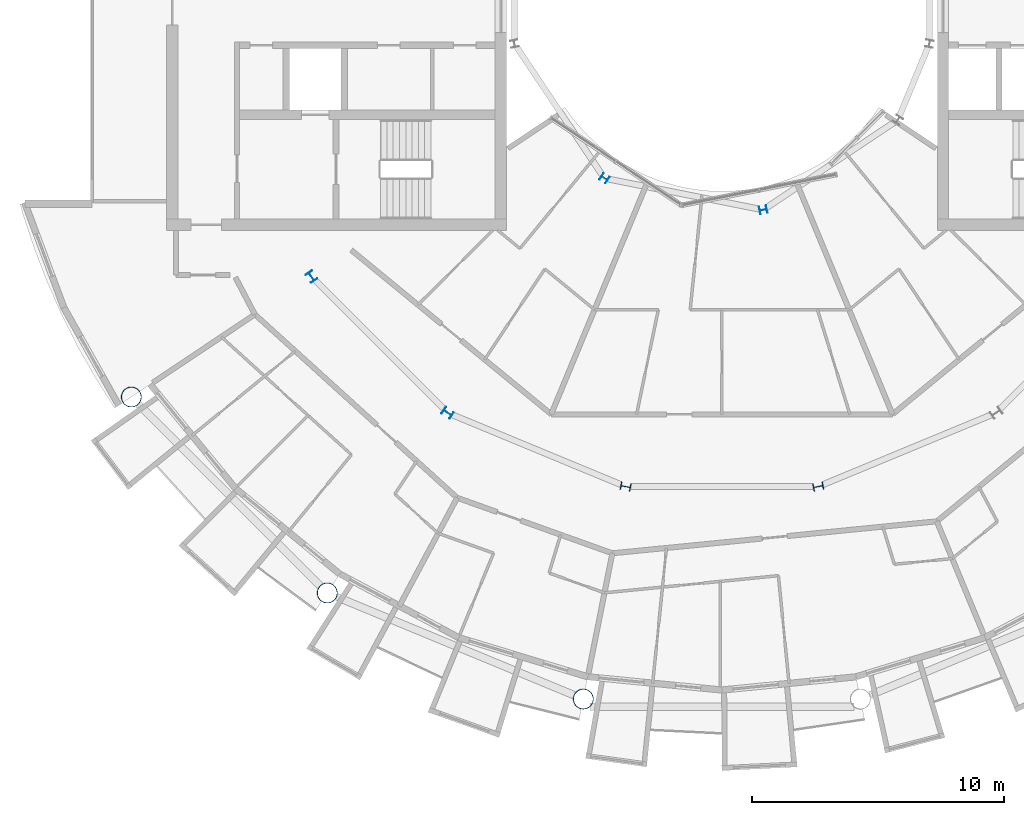
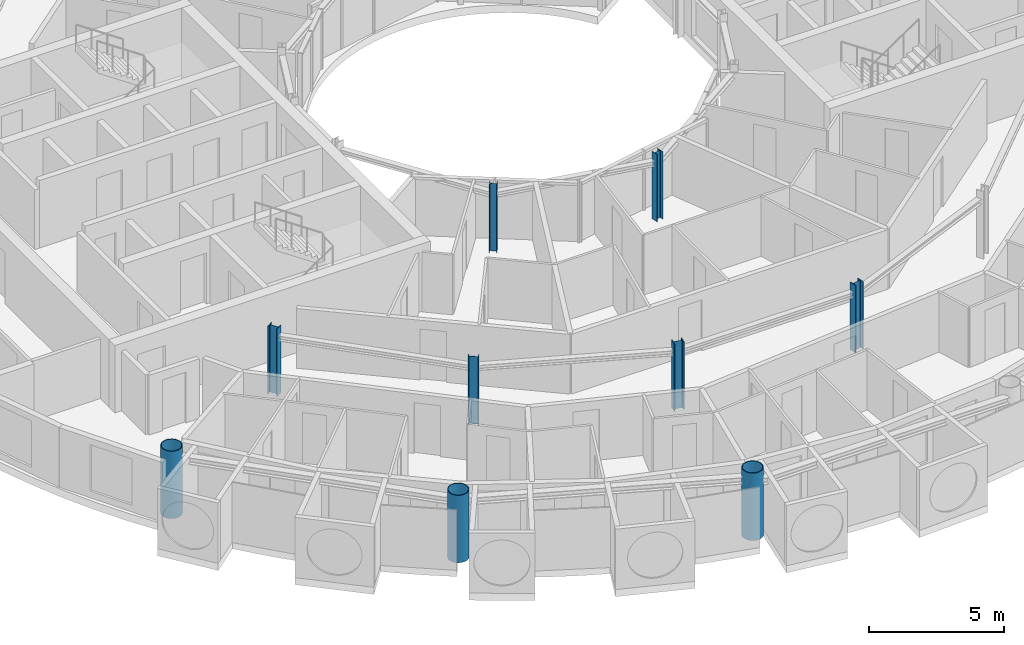
# One storey, part 1 of 29: 9 columns.
"""IFC4 building model written with IfcOpenShell, lengths in metres."""

from ifc_helpers import new_model, si_unit, direction, frame, origin, origin_2d, place, context, subcontext, project, spatial, hollow_circle, i_section, extrude, material, material_profile, profile_set, type_object, element, save


model = new_model("IFC4")

# Units and contexts
model_context = context("Model", 3, precision=1e-05, world=origin(), true_north=direction((0.0, 1.0)))
body_context = subcontext(model_context, "Body", "Model", "MODEL_VIEW")
ifc_project = project(units=[si_unit("LENGTHUNIT", "METRE"), si_unit("AREAUNIT", "SQUARE_METRE"), si_unit("VOLUMEUNIT", "CUBIC_METRE"), si_unit("PLANEANGLEUNIT", "RADIAN"), si_unit("MASSUNIT", "GRAM", prefix="KILO")], contexts=[model_context])

# Site, building, storey
site_placement = place(None, origin())
site = spatial("IfcSite", under=ifc_project, at=site_placement, CompositionType="ELEMENT")
building_placement = place(site_placement, origin())
building = spatial("IfcBuilding", under=site, at=building_placement, Name="Maasbend Ring Residences", CompositionType="ELEMENT")
storey_placement = place(building_placement, frame((0.0, 0.0, 205.449951171875)))
storey = spatial("IfcBuildingStorey", under=building, at=storey_placement, Name="L59", CompositionType="ELEMENT", Elevation=205.449951171875)

# Columns
ifc_material_1 = material(Name="Composite concrete-filled steel tube S460NH / C80/95", Category="concrete")
ifc_material_profile_1 = material_profile(ifc_material_1, hollow_circle(Radius=0.406494140625, WallThickness=0.030029296875, at=origin_2d()), Name="Composite tube column CHS 813x30")
ifc_profile_set_1 = profile_set([ifc_material_profile_1], Name="Composite concrete-filled steel tube S460NH / C80/95")
column_type_1 = type_object("IfcColumnType", Name="Composite tube column CHS 813x30", PredefinedType="COLUMN", material=ifc_profile_set_1)
for number, where, z_axis, x_axis, name in (
    (1, (-23.447509765625, -15.6669921875, 0.0), (0.0, 0.0, 1.0), (1.0, 0.0, 0.0), "Outer column R10"),
    (2, (-15.6669921875, -23.447509765625, 0.0), (0.0, 0.0, 1.0), (1.0, 0.0, 0.0), "Outer column R11"),
    (3, (-5.50146484375, -27.658203125, 0.0), (0.0, 0.0, 1.0), (1.0, 0.0, 0.0), "Outer column R12"),
):
    element("IfcColumn", number, at=place(storey_placement, frame(where, z_axis=z_axis, x_axis=x_axis)), inside=storey, type_object=column_type_1, Name=name, PredefinedType="COLUMN", context=body_context, shape_type="SweptSolid", body=[
        extrude(hollow_circle(Radius=0.406494140625, WallThickness=0.030029296875, at=origin_2d()), origin(), (0.0, 0.0, 1.0), 3.050048828125),
    ])
ifc_material_2 = material(Name="Steel S355J2", Category="steel")
ifc_material_profile_2 = material_profile(ifc_material_2, i_section(OverallWidth=0.300048828125, OverallDepth=0.2900390625, WebThickness=0.008544921875, FlangeThickness=0.013916015625, FilletRadius=0.027099609375, at=origin_2d()), Name="HEA 300")
ifc_profile_set_2 = profile_set([ifc_material_profile_2], Name="Steel S355J2")
column_type_2 = type_object("IfcColumnType", Name="Steel column HEA 300", PredefinedType="COLUMN", material=ifc_profile_set_2)
for number, where, z_axis, x_axis, name in (
    (4, (-4.666748046875, -6.984375, 0.0), (0.0, 0.0, 1.0), (-0.55557023302, -0.831469612303, 0.0), "Well ring column R11"),
    (5, (1.638916015625, -8.238525390625, 0.0), (0.0, 0.0, 1.0), (0.195090322016, -0.980785280403, 0.0), "Well ring column R13"),
):
    element("IfcColumn", number, at=place(storey_placement, frame(where, z_axis=z_axis, x_axis=x_axis)), inside=storey, type_object=column_type_2, Name=name, PredefinedType="COLUMN", context=body_context, shape_type="SweptSolid", body=[
        extrude(i_section(OverallWidth=0.300048828125, OverallDepth=0.2900390625, WebThickness=0.008544921875, FlangeThickness=0.013916015625, FilletRadius=0.027099609375, at=origin_2d()), origin(), (0.0, 0.0, 1.0), 3.050048828125),
    ])
ifc_material_3 = material(Name="Steel S355J2", Category="steel")
ifc_material_profile_3 = material_profile(ifc_material_3, i_section(OverallWidth=0.300048828125, OverallDepth=0.39990234375, WebThickness=0.013427734375, FlangeThickness=0.02392578125, FilletRadius=0.027099609375, at=origin_2d()), Name="HEB 400")
ifc_profile_set_3 = profile_set([ifc_material_profile_3], Name="Steel S355J2")
column_type_3 = type_object("IfcColumnType", Name="Steel column HEB 400", PredefinedType="COLUMN", material=ifc_profile_set_3)
for number, where, z_axis, x_axis, name in (
    (6, (-16.296875, -10.88916015625, 0.0), (0.0, 0.0, 1.0), (-0.831469612303, -0.55557023302, 0.0), "Corridor ring column R10"),
    (7, (-10.88916015625, -16.296875, 0.0), (0.0, 0.0, 1.0), (-0.55557023302, -0.831469612303, 0.0), "Corridor ring column R11"),
    (8, (-3.82373046875, -19.223388671875, 0.0), (0.0, 0.0, 1.0), (-0.195090322016, -0.980785280403, 0.0), "Corridor ring column R12"),
    (9, (3.82373046875, -19.223388671875, 0.0), (0.0, 0.0, 1.0), (0.195090322016, -0.980785280403, 0.0), "Corridor ring column R13"),
):
    element("IfcColumn", number, at=place(storey_placement, frame(where, z_axis=z_axis, x_axis=x_axis)), inside=storey, type_object=column_type_3, Name=name, PredefinedType="COLUMN", context=body_context, shape_type="SweptSolid", body=[
        extrude(i_section(OverallWidth=0.300048828125, OverallDepth=0.39990234375, WebThickness=0.013427734375, FlangeThickness=0.02392578125, FilletRadius=0.027099609375, at=origin_2d()), origin(), (0.0, 0.0, 1.0), 3.050048828125),
    ])

save(model, "model.ifc")
